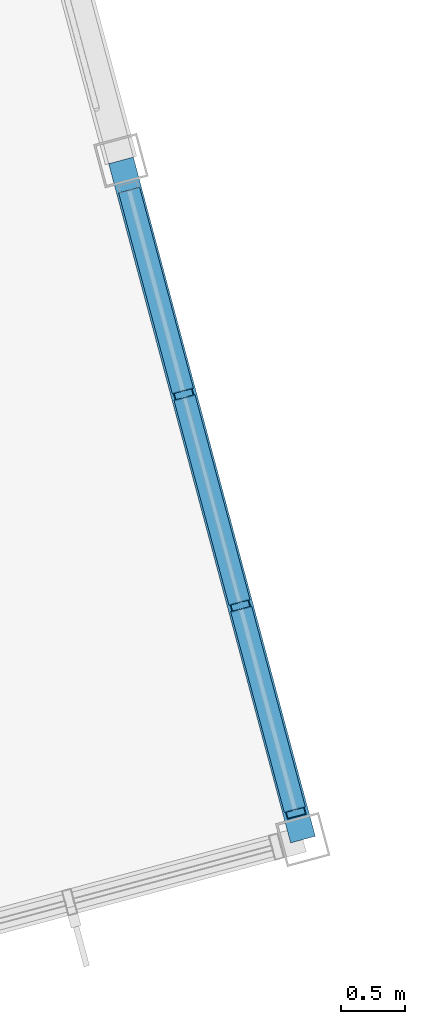
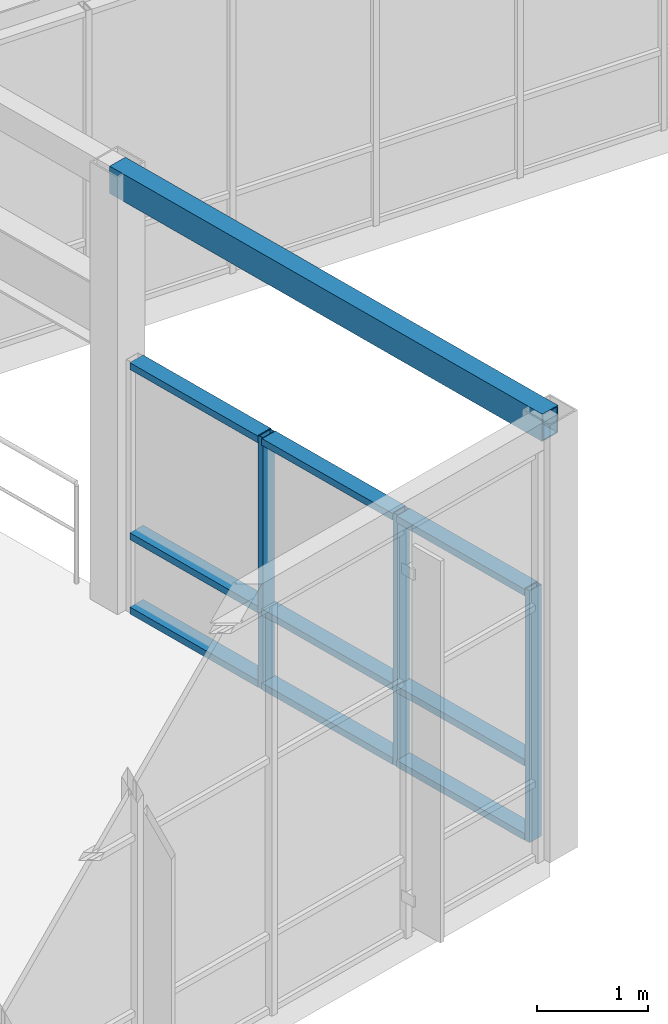
# One storey, part 40 of 99: 12 members, 1 beam, 1 element without a shape of its own.
"""IFC4 building model written with IfcOpenShell, lengths in metres."""

import ifcopenshell
import ifcopenshell.guid

model = None  # the IFC model being written
_history = None  # IfcOwnerHistory: only IFC2X3 demands one
_inside = {}  # id of a spatial element -> (the spatial element, [elements in it])
_under = {}  # id of a project, library or spatial element -> (it, [spatial elements below it])
_declared = {}  # id of a project -> (the project, [libraries it declares])
_typed = {}  # id of a type object -> (the type object, [elements of that type])
_made_of = {}  # id of a material, layer set ... -> (it, [elements and type objects made of it])


def new_model(schema):
    """Start an empty IFC model of exactly this schema.

    Asked for "IFC4X3", IfcOpenShell would pick the latest addendum, in which some entities
    have other attributes; the version numbers below select the first issue.
    IFC2X3 requires an IfcOwnerHistory on every rooted entity: one is made here for all.
    """
    global model, _history
    if schema == "IFC4X3":
        model = ifcopenshell.file(schema_version=(4, 3, 0, 0))
    else:
        model = ifcopenshell.file(schema=schema)
    _inside.clear()
    _under.clear()
    _declared.clear()
    _typed.clear()
    _made_of.clear()
    _history = None
    if model.schema == "IFC2X3":
        org = make("IfcOrganization", Name="unknown")
        user = make(
            "IfcPersonAndOrganization",
            ThePerson=make("IfcPerson", FamilyName="unknown"),
            TheOrganization=org,
        )
        app = make(
            "IfcApplication",
            ApplicationDeveloper=org,
            Version="unknown",
            ApplicationFullName="unknown",
            ApplicationIdentifier="unknown",
        )
        _history = make(
            "IfcOwnerHistory",
            OwningUser=user,
            OwningApplication=app,
            ChangeAction="ADDED",
            CreationDate=0,
        )
    return model


def make(cls, **values):
    """One entity of the class cls with the attributes given. An attribute that is None is left unset."""
    return model.create_entity(
        cls, **{name: value for name, value in values.items() if value is not None}
    )


def rooted(cls, **values):
    """An entity with a GlobalId (a new one), such as an element, a storey or a relation."""
    return make(cls, GlobalId=ifcopenshell.guid.new(), OwnerHistory=_history, **values)


def si_unit(unit_type, name, prefix=None):
    """IfcSIUnit, for example si_unit("LENGTHUNIT", "METRE", prefix="MILLI")."""
    return make("IfcSIUnit", UnitType=unit_type, Prefix=prefix, Name=name)


def assignment(units):
    """IfcUnitAssignment: the units of a project."""
    return None if units is None else make("IfcUnitAssignment", Units=units)


def point(xyz):
    """IfcCartesianPoint."""
    return None if xyz is None else make("IfcCartesianPoint", Coordinates=xyz)


def direction(xyz):
    """IfcDirection."""
    return None if xyz is None else make("IfcDirection", DirectionRatios=xyz)


def frame(location, z_axis=None, x_axis=None):
    """IfcAxis2Placement3D, a coordinate frame: its origin and axes. An axis left out is left unset."""
    return make(
        "IfcAxis2Placement3D",
        Location=point(location),
        Axis=direction(z_axis),
        RefDirection=direction(x_axis),
    )


def frame_2d(location, x_axis=None):
    """IfcAxis2Placement2D, a coordinate frame in the plane: its origin and x axis."""
    return make(
        "IfcAxis2Placement2D", Location=point(location), RefDirection=direction(x_axis)
    )


def origin():
    """The frame at (0, 0, 0) with its axes left unset."""
    return frame((0.0, 0.0, 0.0))


def origin_2d():
    """The frame at (0, 0) in the plane with its x axis left unset."""
    return frame_2d((0.0, 0.0))


def place(relative_to, where):
    """IfcLocalPlacement: puts the frame where relative to a parent placement (None: the world)."""
    return make(
        "IfcLocalPlacement", PlacementRelTo=relative_to, RelativePlacement=where
    )


def context(
    kind, dimensions, precision=None, world=None, true_north=None, identifier=None
):
    """IfcGeometricRepresentationContext, for example the 3D "Model" context."""
    return make(
        "IfcGeometricRepresentationContext",
        ContextIdentifier=identifier,
        ContextType=kind,
        CoordinateSpaceDimension=dimensions,
        Precision=precision,
        WorldCoordinateSystem=world,
        TrueNorth=true_north,
    )


def subcontext(parent, identifier, kind, view, scale=None):
    """IfcGeometricRepresentationSubContext, for example "Body" below "Model"."""
    return make(
        "IfcGeometricRepresentationSubContext",
        ContextIdentifier=identifier,
        ContextType=kind,
        ParentContext=parent,
        TargetScale=scale,
        TargetView=view,
    )


def project(units=None, contexts=None):
    """IfcProject with its units and contexts."""
    return rooted(
        "IfcProject",
        Name="project",
        RepresentationContexts=contexts,
        UnitsInContext=assignment(units),
    )


def spatial(cls, under=None, at=None, **own):
    """A site, building, storey or space (cls), placed at a placement, below another one or the project."""
    s = rooted(cls, ObjectPlacement=at, **own)
    if under is not None:
        _under.setdefault(under.id(), (under, []))[1].append(s)
    return s


def profile(cls, at=None, kind="AREA", **sizes):
    """A parametric profile (cls). Its sizes go by their IFC names, for example OverallWidth=200.0."""
    return make(cls, ProfileType=kind, Position=at, **sizes)


def hollow_rectangle(**sizes):
    """IfcRectangleHollowProfileDef."""
    return profile("IfcRectangleHollowProfileDef", **sizes)


def extrude(swept, where, along, depth):
    """IfcExtrudedAreaSolid: the profile swept, set in the frame where, extruded along a direction by depth."""
    return make(
        "IfcExtrudedAreaSolid",
        SweptArea=swept,
        Position=where,
        ExtrudedDirection=direction(along),
        Depth=depth,
    )


def shape(context_of_items, identifier, shape_type, items):
    """IfcShapeRepresentation: the items that make up one representation, for example the "Body"."""
    return make(
        "IfcShapeRepresentation",
        ContextOfItems=context_of_items,
        RepresentationIdentifier=identifier,
        RepresentationType=shape_type,
        Items=items,
    )


def material(Name=None, Category=None):
    """IfcMaterial."""
    return make("IfcMaterial", Name=Name, Category=Category)


def layer(
    of_material, thickness, ventilated=None, Name=None, Category=None, Priority=None
):
    """IfcMaterialLayer: one layer of a wall or slab, of a material (None: an air gap)."""
    return make(
        "IfcMaterialLayer",
        Material=of_material,
        LayerThickness=thickness,
        IsVentilated=ventilated,
        Name=Name,
        Category=Category,
        Priority=Priority,
    )


def layer_set(layers, Name=None):
    """IfcMaterialLayerSet."""
    return make("IfcMaterialLayerSet", MaterialLayers=layers, LayerSetName=Name)


def material_profile(
    of_material, cross_section, Name=None, Category=None, Priority=None
):
    """IfcMaterialProfile: a cross section and its material."""
    return make(
        "IfcMaterialProfile",
        Name=Name,
        Material=of_material,
        Profile=cross_section,
        Priority=Priority,
        Category=Category,
    )


def profile_set(profiles, Name=None, composite=None):
    """IfcMaterialProfileSet."""
    return make(
        "IfcMaterialProfileSet",
        Name=Name,
        MaterialProfiles=profiles,
        CompositeProfile=composite,
    )


def made_of(thing, what):
    """Note that an element or type object is made of a material, layer set ...; save() writes the relation."""
    if what is not None:
        _made_of.setdefault(what.id(), (what, []))[1].append(thing)
    return thing


def type_object(cls, material=None, **own):
    """A type object (cls), such as IfcWallType, which elements share."""
    return made_of(rooted(cls, **own), material)


def element(
    cls,
    number,
    at=None,
    inside=None,
    cuts=None,
    type_object=None,
    material=None,
    context=None,
    identifier="Body",
    shape_type=None,
    held_by="IfcProductDefinitionShape",
    body=None,
    shapes=None,
    **own,
):
    """One element of the class cls, such as IfcWall. Its Tag is "e" and its number.

    at: its placement. inside: the storey or other place that contains it. cuts: it is an
    opening in that element (IfcRelVoidsElement). A single representation is given by context,
    identifier, shape_type and body (its items); several are given by shapes. held_by: the class
    of the entity that holds the representations. save() writes the other relations.
    """
    e = rooted(cls, Tag="e%d" % number, ObjectPlacement=at, **own)
    if body is not None:
        shapes = [shape(context, identifier, shape_type, body)]
    if shapes is not None:
        e.Representation = make(held_by, Representations=shapes)
    if inside is not None:
        _inside.setdefault(inside.id(), (inside, []))[1].append(e)
    if cuts is not None:
        rooted(
            "IfcRelVoidsElement", RelatingBuildingElement=cuts, RelatedOpeningElement=e
        )
    if type_object is not None:
        _typed.setdefault(type_object.id(), (type_object, []))[1].append(e)
    return made_of(e, material)


def aggregate(whole, parts):
    """IfcRelAggregates: a whole, such as a stair, and the parts it consists of."""
    return rooted("IfcRelAggregates", RelatingObject=whole, RelatedObjects=parts)


def save(model, path):
    """Write the relations noted so far, then the file.

    IfcRelAggregates (storeys below a building ...), IfcRelContainedInSpatialStructure (elements
    in a storey), IfcRelDefinesByType, IfcRelAssociatesMaterial and IfcRelDeclares: one each for
    every whole, place, type object, material and project.
    """
    for whole, parts in _under.values():
        aggregate(whole, parts)
    for where, things in _inside.values():
        rooted(
            "IfcRelContainedInSpatialStructure",
            RelatedElements=things,
            RelatingStructure=where,
        )
    for kind, things in _typed.values():
        rooted("IfcRelDefinesByType", RelatedObjects=things, RelatingType=kind)
    for what, things in _made_of.values():
        rooted("IfcRelAssociatesMaterial", RelatedObjects=things, RelatingMaterial=what)
    for by, libraries in _declared.values():
        rooted("IfcRelDeclares", RelatingContext=by, RelatedDefinitions=libraries)
    model.write(path)


model = new_model("IFC4")

# Units and contexts
model_context = context("Model", 3, precision=1e-05, world=origin(), true_north=direction((0.0, 1.0)))
body_context = subcontext(model_context, "Body", "Model", "MODEL_VIEW")
ifc_project = project(units=[si_unit("LENGTHUNIT", "METRE"), si_unit("AREAUNIT", "SQUARE_METRE"), si_unit("VOLUMEUNIT", "CUBIC_METRE"), si_unit("PLANEANGLEUNIT", "RADIAN"), si_unit("MASSUNIT", "GRAM", prefix="KILO")], contexts=[model_context])

# Site, building, storey
site_placement = place(None, origin())
site = spatial("IfcSite", under=ifc_project, at=site_placement, CompositionType="ELEMENT")
building_placement = place(site_placement, origin())
building = spatial("IfcBuilding", under=site, at=building_placement, Name="Ventoquebrada Cableway Terminal", CompositionType="ELEMENT")
storey_placement = place(building_placement, frame((0.0, 0.0, 9.60009765625)))
storey = spatial("IfcBuildingStorey", under=building, at=storey_placement, Name="L02", CompositionType="ELEMENT", Elevation=9.60009765625)

# Curtain wall, members
ifc_material_1 = material(Name="Anodized thermally-broken aluminium", Category="aluminium")
ifc_layer = layer(ifc_material_1, 0.159912109375)
ifc_layer_set = layer_set([ifc_layer], Name="Anodized thermally-broken aluminium")
curtain_wall_type = type_object("IfcCurtainWallType", Name="CW-T41", PredefinedType="USERDEFINED", material=ifc_layer_set)
curtain_wall_placement = place(storey_placement, origin())
curtain_wall = element("IfcCurtainWall", 1, at=curtain_wall_placement, inside=storey, type_object=curtain_wall_type, Name="Unitised glazed curtain wall CW-113", ObjectType="UNITISED CURTAIN WALL", PredefinedType="USERDEFINED")
ifc_material_profile_1 = material_profile(ifc_material_1, hollow_rectangle(XDim=0.06005859375, YDim=0.14990234375, WallThickness=0.00390625, at=origin_2d()), Name="CW-MUL-60X150")
ifc_profile_set_1 = profile_set([ifc_material_profile_1], Name="Anodized thermally-broken aluminium")
member_type_1 = type_object("IfcMemberType", Name="CWM-03", PredefinedType="MULLION", material=ifc_profile_set_1)
member_1_placement = place(storey_placement, frame((86.695068359375, 79.31005859375, -0.008056640625), z_axis=(0.0, 0.0, 1.0), x_axis=(-0.258616736395, 0.965980012038, 0.0)))
member_1 = element("IfcMember", 2, at=member_1_placement, type_object=member_type_1, Name="Curtain wall mullion FML-0548", PredefinedType="MULLION", context=body_context, shape_type="SweptSolid", body=[
    extrude(hollow_rectangle(XDim=0.06005859375, YDim=0.14990234375, WallThickness=0.00390625, at=origin_2d()), origin(), (0.0, 0.0, 1.0), 2.764892578125),
])
member_2_placement = place(storey_placement, frame((86.260986328125, 80.930908203125, -0.008056640625), z_axis=(0.0, 0.0, 1.0), x_axis=(-0.258616736395, 0.965980012038, 0.0)))
member_2 = element("IfcMember", 3, at=member_2_placement, type_object=member_type_1, Name="Curtain wall mullion FML-0549", PredefinedType="MULLION", context=body_context, shape_type="SweptSolid", body=[
    extrude(hollow_rectangle(XDim=0.06005859375, YDim=0.14990234375, WallThickness=0.00390625, at=origin_2d()), origin(), (0.0, 0.0, 1.0), 2.764892578125),
])
member_3_placement = place(storey_placement, frame((85.818115234375, 82.5849609375, -0.008056640625), z_axis=(0.0, 0.0, 1.0), x_axis=(-0.258616736395, 0.965980012038, 0.0)))
member_3 = element("IfcMember", 4, at=member_3_placement, type_object=member_type_1, Name="Curtain wall mullion FML-0550", PredefinedType="MULLION", context=body_context, shape_type="SweptSolid", body=[
    extrude(hollow_rectangle(XDim=0.06005859375, YDim=0.14990234375, WallThickness=0.00390625, at=origin_2d()), origin(), (0.0, 0.0, 1.0), 2.764892578125),
])
ifc_material_profile_2 = material_profile(ifc_material_1, hollow_rectangle(XDim=0.074951171875, YDim=0.169921875, WallThickness=0.00439453125, at=origin_2d()), Name="CW-TRN-75X170")
ifc_profile_set_2 = profile_set([ifc_material_profile_2], Name="Anodized thermally-broken aluminium")
member_type_2 = type_object("IfcMemberType", Name="CWT-03", PredefinedType="USERDEFINED", material=ifc_profile_set_2)
member_4_placement = place(storey_placement, frame((86.68798828125, 79.333984375, 0.034912109375), z_axis=(-0.258483764983, 0.966015601965, 0.0), x_axis=(0.0, 0.0, 1.0)))
member_4 = element("IfcMember", 5, at=member_4_placement, type_object=member_type_2, Name="Curtain wall transom FTR-1614", ObjectType="TRANSOM", PredefinedType="USERDEFINED", context=body_context, shape_type="SweptSolid", body=[
    extrude(hollow_rectangle(XDim=0.074951171875, YDim=0.169921875, WallThickness=0.00439453125, at=origin_2d()), origin(), (0.0, 0.0, 1.0), 1.62841796875),
])
member_5_placement = place(storey_placement, frame((86.68798828125, 79.333984375, 0.849853515625), z_axis=(-0.258483764983, 0.966015601965, 0.0), x_axis=(0.0, 0.0, 1.0)))
member_5 = element("IfcMember", 6, at=member_5_placement, type_object=member_type_2, Name="Curtain wall transom FTR-1615", ObjectType="TRANSOM", PredefinedType="USERDEFINED", context=body_context, shape_type="SweptSolid", body=[
    extrude(hollow_rectangle(XDim=0.074951171875, YDim=0.169921875, WallThickness=0.00439453125, at=origin_2d()), origin(), (0.0, 0.0, 1.0), 1.62841796875),
])
member_6_placement = place(storey_placement, frame((86.68798828125, 79.333984375, 2.716796875), z_axis=(-0.258483764983, 0.966015601965, 0.0), x_axis=(0.0, 0.0, 1.0)))
member_6 = element("IfcMember", 7, at=member_6_placement, type_object=member_type_2, Name="Curtain wall transom FTR-1616", ObjectType="TRANSOM", PredefinedType="USERDEFINED", context=body_context, shape_type="SweptSolid", body=[
    extrude(hollow_rectangle(XDim=0.074951171875, YDim=0.169921875, WallThickness=0.00439453125, at=origin_2d()), origin(), (0.0, 0.0, 1.0), 1.62841796875),
])
member_7_placement = place(storey_placement, frame((86.2548828125, 80.955078125, 0.034912109375), z_axis=(-0.259151950985, 0.965836562934, 0.0), x_axis=(0.0, 0.0, 1.0)))
member_7 = element("IfcMember", 8, at=member_7_placement, type_object=member_type_2, Name="Curtain wall transom FTR-1617", ObjectType="TRANSOM", PredefinedType="USERDEFINED", context=body_context, shape_type="SweptSolid", body=[
    extrude(hollow_rectangle(XDim=0.074951171875, YDim=0.169921875, WallThickness=0.00439453125, at=origin_2d()), origin(), (0.0, 0.0, 1.0), 1.662841796875),
])
member_8_placement = place(storey_placement, frame((86.2548828125, 80.955078125, 0.849853515625), z_axis=(-0.259151950985, 0.965836562934, 0.0), x_axis=(0.0, 0.0, 1.0)))
member_8 = element("IfcMember", 9, at=member_8_placement, type_object=member_type_2, Name="Curtain wall transom FTR-1618", ObjectType="TRANSOM", PredefinedType="USERDEFINED", context=body_context, shape_type="SweptSolid", body=[
    extrude(hollow_rectangle(XDim=0.074951171875, YDim=0.169921875, WallThickness=0.00439453125, at=origin_2d()), origin(), (0.0, 0.0, 1.0), 1.662841796875),
])
member_9_placement = place(storey_placement, frame((86.2548828125, 80.955078125, 2.716796875), z_axis=(-0.259151950985, 0.965836562934, 0.0), x_axis=(0.0, 0.0, 1.0)))
member_9 = element("IfcMember", 10, at=member_9_placement, type_object=member_type_2, Name="Curtain wall transom FTR-1619", ObjectType="TRANSOM", PredefinedType="USERDEFINED", context=body_context, shape_type="SweptSolid", body=[
    extrude(hollow_rectangle(XDim=0.074951171875, YDim=0.169921875, WallThickness=0.00439453125, at=origin_2d()), origin(), (0.0, 0.0, 1.0), 1.662841796875),
])
member_10_placement = place(storey_placement, frame((85.81201171875, 82.60888671875, 0.034912109375), z_axis=(-0.258483764983, 0.966015601965, 0.0), x_axis=(0.0, 0.0, 1.0)))
member_10 = element("IfcMember", 11, at=member_10_placement, type_object=member_type_2, Name="Curtain wall transom FTR-1620", ObjectType="TRANSOM", PredefinedType="USERDEFINED", context=body_context, shape_type="SweptSolid", body=[
    extrude(hollow_rectangle(XDim=0.074951171875, YDim=0.169921875, WallThickness=0.00439453125, at=origin_2d()), origin(), (0.0, 0.0, 1.0), 1.62841796875),
])
member_11_placement = place(storey_placement, frame((85.81201171875, 82.60888671875, 0.849853515625), z_axis=(-0.258483764983, 0.966015601965, 0.0), x_axis=(0.0, 0.0, 1.0)))
member_11 = element("IfcMember", 12, at=member_11_placement, type_object=member_type_2, Name="Curtain wall transom FTR-1621", ObjectType="TRANSOM", PredefinedType="USERDEFINED", context=body_context, shape_type="SweptSolid", body=[
    extrude(hollow_rectangle(XDim=0.074951171875, YDim=0.169921875, WallThickness=0.00439453125, at=origin_2d()), origin(), (0.0, 0.0, 1.0), 1.62841796875),
])
member_12_placement = place(storey_placement, frame((85.81201171875, 82.60888671875, 2.716796875), z_axis=(-0.258483764983, 0.966015601965, 0.0), x_axis=(0.0, 0.0, 1.0)))
member_12 = element("IfcMember", 13, at=member_12_placement, type_object=member_type_2, Name="Curtain wall transom FTR-1622", ObjectType="TRANSOM", PredefinedType="USERDEFINED", context=body_context, shape_type="SweptSolid", body=[
    extrude(hollow_rectangle(XDim=0.074951171875, YDim=0.169921875, WallThickness=0.00439453125, at=origin_2d()), origin(), (0.0, 0.0, 1.0), 1.62841796875),
])
aggregate(curtain_wall, [member_1, member_2, member_3, member_4, member_5, member_6, member_7, member_8, member_9, member_10, member_11, member_12])

# Beam
ifc_material_2 = material(Name="Steel ASTM A500 Grade C", Category="steel")
ifc_material_profile_3 = material_profile(ifc_material_2, hollow_rectangle(XDim=0.199951171875, YDim=0.300048828125, WallThickness=0.012451171875, at=origin_2d()), Name="RHS300X200X12.5")
ifc_profile_set_3 = profile_set([ifc_material_profile_3], Name="Steel ASTM A500 Grade C")
beam_type = type_object("IfcBeamType", Name="SP-ST02", PredefinedType="SPANDREL", material=ifc_profile_set_3)
beam_placement = place(storey_placement, frame((86.7509765625, 79.10205078125, 4.64990234375), z_axis=(-0.25877602824, 0.965937351596, 0.0), x_axis=(-0.965937351596, -0.25877602824, 0.0)))
element("IfcBeam", 14, at=beam_placement, inside=storey, type_object=beam_type, Name="Boarding hall perimeter tie beam FBM-1085", PredefinedType="SPANDREL", context=body_context, shape_type="SweptSolid", body=[
    extrude(hollow_rectangle(XDim=0.199951171875, YDim=0.300048828125, WallThickness=0.012451171875, at=origin_2d()), origin(), (0.0, 0.0, 1.0), 5.499267578125),
])

save(model, "model.ifc")
